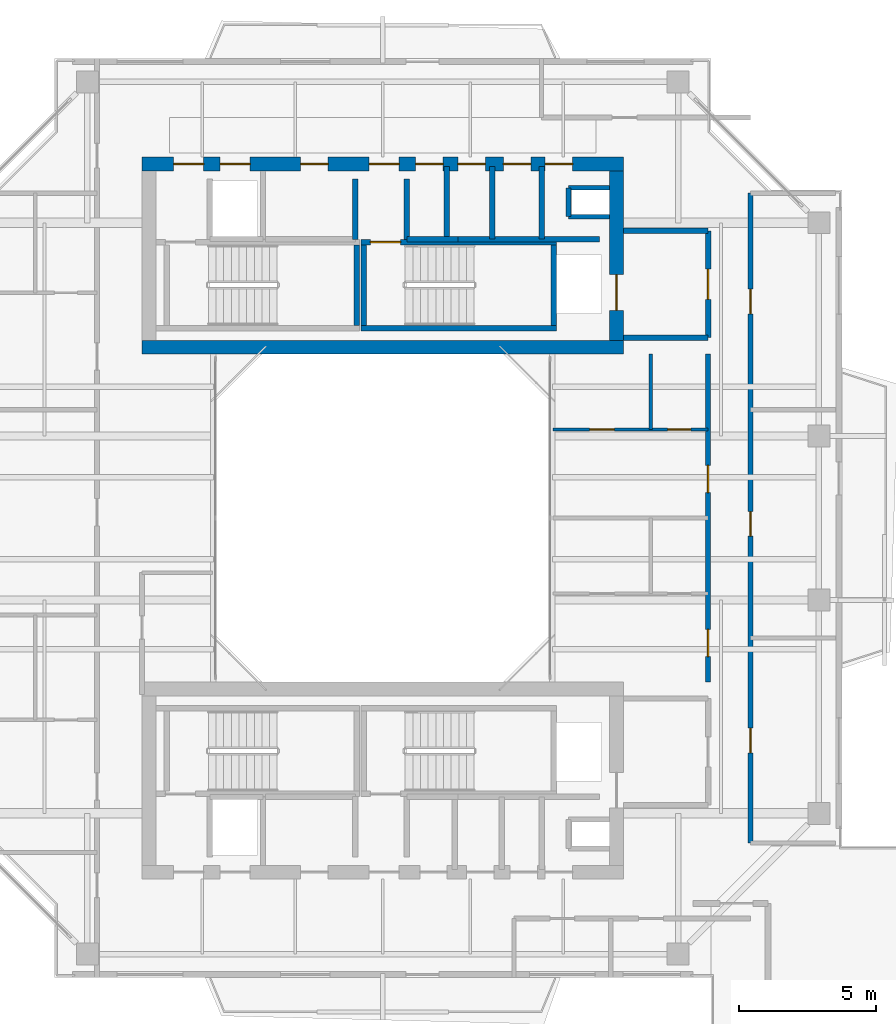
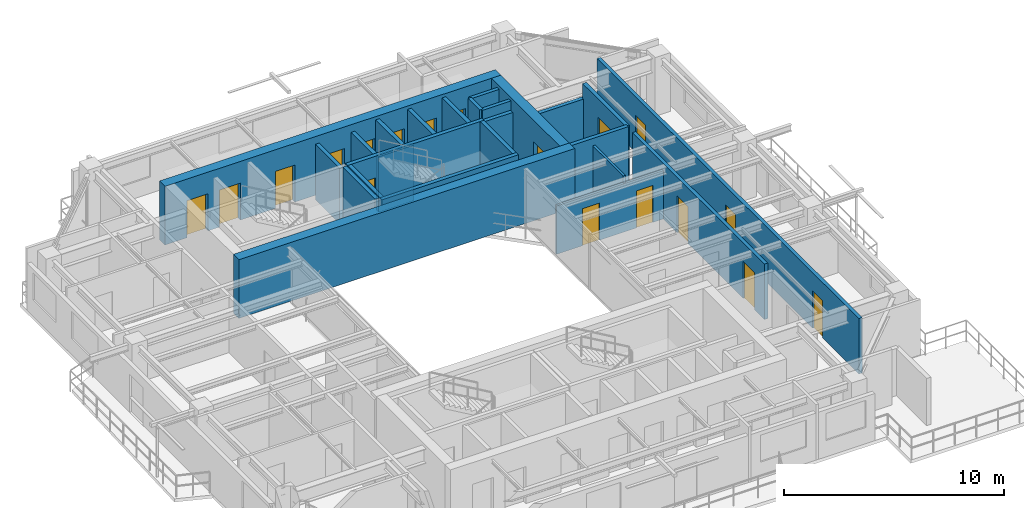
# One storey, part 12 of 16: 25 walls, 18 doors, 18 openings.
"""IFC4 building model written with IfcOpenShell, lengths in metres."""

from ifc_helpers import new_model, si_unit, direction, frame, frame_2d, origin, place, context, subcontext, project, spatial, rectangle, extrude, source, transform, mapped, material, layer, layer_set, type_object, element, fill, save


model = new_model("IFC4")

# Units and contexts
model_context = context("Model", 3, precision=1e-05, world=origin(), true_north=direction((0.0, 1.0)))
body_context = subcontext(model_context, "Body", "Model", "MODEL_VIEW")
ifc_project = project(units=[si_unit("LENGTHUNIT", "METRE"), si_unit("AREAUNIT", "SQUARE_METRE"), si_unit("VOLUMEUNIT", "CUBIC_METRE"), si_unit("PLANEANGLEUNIT", "RADIAN"), si_unit("MASSUNIT", "GRAM", prefix="KILO"), si_unit("THERMODYNAMICTEMPERATUREUNIT", "KELVIN"), si_unit("POWERUNIT", "WATT")], contexts=[model_context])

# Site, building, storey
site_placement = place(None, origin())
site = spatial("IfcSite", under=ifc_project, at=site_placement, CompositionType="ELEMENT")
building_placement = place(site_placement, origin())
building = spatial("IfcBuilding", under=site, at=building_placement, Name="Qiaomeng Ring Towers", CompositionType="ELEMENT")
storey_placement = place(building_placement, frame((0.0, 0.0, 203.5)))
storey = spatial("IfcBuildingStorey", under=building, at=storey_placement, Name="L59", CompositionType="ELEMENT", Elevation=203.5)

# Walls
ifc_material_1 = material(Name="Autoclaved aerated concrete block", Category="concrete")
ifc_layer_1 = layer(ifc_material_1, 0.199951171875, Name="Autoclaved aerated concrete block")
ifc_layer_set_1 = layer_set([ifc_layer_1], Name="Autoclaved aerated concrete block")
wall_type_1 = type_object("IfcWallType", Name="ARC-WL-PW1", PredefinedType="PARTITIONING", material=ifc_layer_set_1)
wall_1_placement = place(storey_placement, frame((27.800048828125, 29.60009765625, 0.0), z_axis=(0.0, 0.0, 1.0), x_axis=(1.0, 0.0, 0.0)))
element("IfcWall", 1, at=wall_1_placement, inside=storey, type_object=wall_type_1, Name="L59 Interior Wall PW1", PredefinedType="PARTITIONING", context=body_context, shape_type="SweptSolid", body=[
    extrude(rectangle(XDim=3.099853515625, YDim=0.199951171875, at=frame_2d((1.5498046875, 0.0))), origin(), (0.0, 0.0, 1.0), 3.070068359375),
])
wall_2_placement = place(storey_placement, frame((27.800048828125, 33.5, 0.0), z_axis=(0.0, 0.0, 1.0), x_axis=(1.0, 0.0, 0.0)))
element("IfcWall", 2, at=wall_2_placement, inside=storey, type_object=wall_type_1, Name="L59 Interior Wall PW1", PredefinedType="PARTITIONING", context=body_context, shape_type="SweptSolid", body=[
    extrude(rectangle(XDim=3.099853515625, YDim=0.199951171875, at=frame_2d((1.5498046875, 0.0))), origin(), (0.0, 0.0, 1.0), 2.264892578125),
])

# Wall, opening, door
wall_3_placement = place(storey_placement, frame((30.89990234375, 29.60009765625, 0.0), z_axis=(0.0, 0.0, 1.0), x_axis=(0.0, 1.0, 0.0)))
wall_3 = element("IfcWall", 3, at=wall_3_placement, inside=storey, type_object=wall_type_1, Name="L59 Interior Wall PW1", PredefinedType="PARTITIONING", context=body_context, shape_type="SweptSolid", body=[
    extrude(rectangle(XDim=3.89990234375, YDim=0.199951171875, at=frame_2d((1.949951171875, 0.0))), origin(), (0.0, 0.0, 1.0), 3.070068359375),
])
opening_1_placement = place(wall_3_placement, frame((1.39990234375, 0.0, 0.0)))
opening_1 = element("IfcOpeningElement", 4, at=opening_1_placement, cuts=wall_3, Name="Opening FD3", PredefinedType="OPENING", context=body_context, shape_type="SweptSolid", body=[
    extrude(rectangle(XDim=1.10009765625, YDim=2.050048828125, at=frame_2d((0.550048828125, 1.02490234375))), frame((0.0, 0.10986328125, 0.0), z_axis=(0.0, -1.0, 0.0), x_axis=(1.0, 0.0, 0.0)), (0.0, 0.0, 1.0), 0.219970703125),
])
ifc_material_2 = material(Name="Galvanised steel", Category="steel")
door_type_1 = type_object("IfcDoorType", Name="ARC-DR-FD3", OperationType="NOTDEFINED", PredefinedType="DOOR", material=ifc_material_2)
shared_shape_1 = source(origin(), body_context, "Body", "SweptSolid", [
    extrude(rectangle(XDim=1.10009765625, YDim=2.050048828125, at=frame_2d((0.550048828125, 1.02490234375))), frame((0.0, 0.02490234375, 0.0), z_axis=(0.0, -1.0, 0.0), x_axis=(1.0, 0.0, 0.0)), (0.0, 0.0, 1.0), 0.050048828125),
])
door_1_placement = place(opening_1_placement, origin())
door_1 = element("IfcDoor", 5, at=door_1_placement, inside=storey, type_object=door_type_1, Name="L59 North FF Lobby Door", OperationType="SINGLE_SWING_LEFT", OverallHeight=2.050048828125, OverallWidth=1.10009765625, PredefinedType="DOOR", context=body_context, shape_type="MappedRepresentation", body=[
    mapped(shared_shape_1, transform((0.0, 0.0, 0.0), x_axis=(1.0, 0.0, 0.0), y_axis=(0.0, 1.0, 0.0), z_axis=(0.0, 0.0, 1.0), scale=1.0)),
])
fill(opening_1, door_1)

# Walls
for number, where, z_axis, x_axis, name in (
    (6, (18.0, 33.18994140625, 0.0), (0.0, 0.0, 1.0), (0.0, 1.0, 0.0), "L59 Interior Wall PW1"),
    (7, (19.8798828125, 33.18994140625, 0.0), (0.0, 0.0, 1.0), (0.0, 1.0, 0.0), "L59 Interior Wall PW1"),
):
    element("IfcWall", number, at=place(storey_placement, frame(where, z_axis=z_axis, x_axis=x_axis)), inside=storey, type_object=wall_type_1, Name=name, PredefinedType="PARTITIONING", context=body_context, shape_type="SweptSolid", body=[
        extrude(rectangle(XDim=2.2099609375, YDim=0.199951171875, at=frame_2d((1.10498046875, 0.0))), origin(), (0.0, 0.0, 1.0), 3.070068359375),
    ])
wall_4_placement = place(storey_placement, frame((24.820068359375, 33.199951171875, 0.0), z_axis=(0.0, 0.0, 1.0), x_axis=(0.0, 1.0, 0.0)))
element("IfcWall", 8, at=wall_4_placement, inside=storey, type_object=wall_type_1, Name="L59 Interior Wall PW1", PredefinedType="PARTITIONING", context=body_context, shape_type="SweptSolid", body=[
    extrude(rectangle(XDim=2.650146484375, YDim=0.199951171875, at=frame_2d((1.3251953125, 0.0))), origin(), (0.0, 0.0, 1.0), 3.070068359375),
])
wall_5_placement = place(storey_placement, frame((19.8798828125, 33.199951171875, 0.0), z_axis=(0.0, 0.0, 1.0), x_axis=(1.0, 0.0, 0.0)))
element("IfcWall", 9, at=wall_5_placement, inside=storey, type_object=wall_type_1, Name="L59 Interior Wall PW1", PredefinedType="PARTITIONING", context=body_context, shape_type="SweptSolid", body=[
    extrude(rectangle(XDim=1.8701171875, YDim=0.199951171875, at=frame_2d((0.93505859375, 0.0))), origin(), (0.0, 0.0, 1.0), 3.070068359375),
])
for number, where, z_axis, x_axis, name in (
    (10, (21.340087890625, 33.199951171875, 0.0), (0.0, 0.0, 1.0), (0.0, 1.0, 0.0), "L59 Interior Wall PW1"),
    (11, (23.010009765625, 33.199951171875, 0.0), (0.0, 0.0, 1.0), (0.0, 1.0, 0.0), "L59 Interior Wall PW1"),
):
    element("IfcWall", number, at=place(storey_placement, frame(where, z_axis=z_axis, x_axis=x_axis)), inside=storey, type_object=wall_type_1, Name=name, PredefinedType="PARTITIONING", context=body_context, shape_type="SweptSolid", body=[
        extrude(rectangle(XDim=2.650146484375, YDim=0.199951171875, at=frame_2d((1.3251953125, 0.0))), origin(), (0.0, 0.0, 1.0), 3.070068359375),
    ])
wall_6_placement = place(storey_placement, frame((21.75, 33.199951171875, 0.0), z_axis=(0.0, 0.0, 1.0), x_axis=(1.0, 0.0, 0.0)))
element("IfcWall", 12, at=wall_6_placement, inside=storey, type_object=wall_type_1, Name="L59 Interior Wall PW1", PredefinedType="PARTITIONING", context=body_context, shape_type="SweptSolid", body=[
    extrude(rectangle(XDim=5.169921875, YDim=0.199951171875, at=frame_2d((2.5849609375, 0.0))), origin(), (0.0, 0.0, 1.0), 3.070068359375),
])

# Wall, openings, doors
ifc_layer_2 = layer(ifc_material_1, 0.179931640625, Name="Autoclaved aerated concrete block")
ifc_layer_set_2 = layer_set([ifc_layer_2], Name="Autoclaved aerated concrete block")
wall_type_2 = type_object("IfcWallType", Name="ARC-WL-PW2", PredefinedType="PARTITIONING", material=ifc_layer_set_2)
wall_7_placement = place(storey_placement, frame((30.89990234375, 17.0, 0.0), z_axis=(0.0, 0.0, 1.0), x_axis=(0.0, 1.0, 0.0)))
wall_7 = element("IfcWall", 13, at=wall_7_placement, inside=storey, type_object=wall_type_2, Name="L59 Interior Wall PW2", PredefinedType="PARTITIONING", context=body_context, shape_type="SweptSolid", body=[
    extrude(rectangle(XDim=12.0, YDim=0.179931640625, at=frame_2d((6.0, 0.0))), origin(), (0.0, 0.0, 1.0), 3.070068359375),
])
opening_2_placement = place(wall_7_placement, frame((0.929931640625, 0.0, 0.0)))
opening_2 = element("IfcOpeningElement", 14, at=opening_2_placement, cuts=wall_7, Name="Opening FD4", PredefinedType="OPENING", context=body_context, shape_type="SweptSolid", body=[
    extrude(rectangle(XDim=1.0, YDim=2.050048828125, at=frame_2d((0.5, 1.02490234375))), frame((0.0, 0.099853515625, 0.0), z_axis=(0.0, -1.0, 0.0), x_axis=(1.0, 0.0, 0.0)), (0.0, 0.0, 1.0), 0.199951171875),
])
opening_3_placement = place(wall_7_placement, frame((6.929931640625, 0.0, 0.0)))
opening_3 = element("IfcOpeningElement", 15, at=opening_3_placement, cuts=wall_7, Name="Opening FD4", PredefinedType="OPENING", context=body_context, shape_type="SweptSolid", body=[
    extrude(rectangle(XDim=1.0, YDim=2.050048828125, at=frame_2d((0.5, 1.02490234375))), frame((0.0, 0.099853515625, 0.0), z_axis=(0.0, -1.0, 0.0), x_axis=(1.0, 0.0, 0.0)), (0.0, 0.0, 1.0), 0.199951171875),
])
ifc_material_3 = material(Name="Engineered fire-rated oak timber", Category="wood")
door_type_2 = type_object("IfcDoorType", Name="ARC-DR-FD4", OperationType="NOTDEFINED", PredefinedType="DOOR", material=ifc_material_3)
shared_shape_2 = source(origin(), body_context, "Body", "SweptSolid", [
    extrude(rectangle(XDim=1.0, YDim=2.050048828125, at=frame_2d((0.5, 1.02490234375))), frame((0.0, 0.02490234375, 0.0), z_axis=(0.0, -1.0, 0.0), x_axis=(1.0, 0.0, 0.0)), (0.0, 0.0, 1.0), 0.050048828125),
])
door_2_placement = place(opening_2_placement, origin())
door_2 = element("IfcDoor", 16, at=door_2_placement, inside=storey, type_object=door_type_2, Name="L59 Door FD4", OperationType="SINGLE_SWING_RIGHT", OverallHeight=2.050048828125, OverallWidth=1.0, PredefinedType="DOOR", context=body_context, shape_type="MappedRepresentation", body=[
    mapped(shared_shape_2, transform((0.0, 0.0, 0.0), x_axis=(1.0, 0.0, 0.0), y_axis=(0.0, 1.0, 0.0), z_axis=(0.0, 0.0, 1.0), scale=1.0)),
])
fill(opening_2, door_2)
door_3_placement = place(opening_3_placement, origin())
door_3 = element("IfcDoor", 17, at=door_3_placement, inside=storey, type_object=door_type_2, Name="L59 Door FD4", OperationType="SINGLE_SWING_LEFT", OverallHeight=2.050048828125, OverallWidth=1.0, PredefinedType="DOOR", context=body_context, shape_type="MappedRepresentation", body=[
    mapped(shared_shape_2, transform((0.0, 0.0, 0.0), x_axis=(1.0, 0.0, 0.0), y_axis=(0.0, 1.0, 0.0), z_axis=(0.0, 0.0, 1.0), scale=1.0)),
])
fill(opening_3, door_3)

wall_8_placement = place(storey_placement, frame((32.449951171875, 11.1201171875, 0.0), z_axis=(0.0, 0.0, 1.0), x_axis=(0.0, 1.0, 0.0)))
wall_8 = element("IfcWall", 18, at=wall_8_placement, inside=storey, type_object=wall_type_2, Name="L59 Interior Wall PW2", PredefinedType="PARTITIONING", context=body_context, shape_type="SweptSolid", body=[
    extrude(rectangle(XDim=23.759765625, YDim=0.179931640625, at=frame_2d((11.8798828125, 0.0))), origin(), (0.0, 0.0, 1.0), 3.070068359375),
])
opening_4_placement = place(wall_8_placement, frame((3.294921875, 0.0, 0.0)))
opening_4 = element("IfcOpeningElement", 19, at=opening_4_placement, cuts=wall_8, Name="Opening ID1", PredefinedType="OPENING", context=body_context, shape_type="SweptSolid", body=[
    extrude(rectangle(XDim=0.89990234375, YDim=2.050048828125, at=frame_2d((0.449951171875, 1.02490234375))), frame((0.0, 0.099853515625, 0.0), z_axis=(0.0, -1.0, 0.0), x_axis=(1.0, 0.0, 0.0)), (0.0, 0.0, 1.0), 0.199951171875),
])
opening_5_placement = place(wall_8_placement, frame((11.215087890625, 0.0, 0.0)))
opening_5 = element("IfcOpeningElement", 20, at=opening_5_placement, cuts=wall_8, Name="Opening ID1", PredefinedType="OPENING", context=body_context, shape_type="SweptSolid", body=[
    extrude(rectangle(XDim=0.89990234375, YDim=2.050048828125, at=frame_2d((0.449951171875, 1.02490234375))), frame((0.0, 0.099853515625, 0.0), z_axis=(0.0, -1.0, 0.0), x_axis=(1.0, 0.0, 0.0)), (0.0, 0.0, 1.0), 0.199951171875),
])
opening_6_placement = place(wall_8_placement, frame((19.35009765625, 0.0, 0.0)))
opening_6 = element("IfcOpeningElement", 21, at=opening_6_placement, cuts=wall_8, Name="Opening ID1", PredefinedType="OPENING", context=body_context, shape_type="SweptSolid", body=[
    extrude(rectangle(XDim=0.89990234375, YDim=2.050048828125, at=frame_2d((0.449951171875, 1.02490234375))), frame((0.0, 0.099853515625, 0.0), z_axis=(0.0, -1.0, 0.0), x_axis=(1.0, 0.0, 0.0)), (0.0, 0.0, 1.0), 0.199951171875),
])
ifc_material_4 = material(Name="Engineered oak timber", Category="wood")
door_type_3 = type_object("IfcDoorType", Name="ARC-DR-ID1", OperationType="NOTDEFINED", PredefinedType="DOOR", material=ifc_material_4)
shared_shape_3 = source(origin(), body_context, "Body", "SweptSolid", [
    extrude(rectangle(XDim=0.89990234375, YDim=2.050048828125, at=frame_2d((0.449951171875, 1.02490234375))), frame((0.0, 0.02490234375, 0.0), z_axis=(0.0, -1.0, 0.0), x_axis=(1.0, 0.0, 0.0)), (0.0, 0.0, 1.0), 0.050048828125),
])
door_4_placement = place(opening_4_placement, origin())
door_4 = element("IfcDoor", 22, at=door_4_placement, inside=storey, type_object=door_type_3, Name="L59 Door ID1", OperationType="SINGLE_SWING_RIGHT", OverallHeight=2.050048828125, OverallWidth=0.89990234375, PredefinedType="DOOR", context=body_context, shape_type="MappedRepresentation", body=[
    mapped(shared_shape_3, transform((0.0, 0.0, 0.0), x_axis=(1.0, 0.0, 0.0), y_axis=(0.0, 1.0, 0.0), z_axis=(0.0, 0.0, 1.0), scale=1.0)),
])
fill(opening_4, door_4)
door_5_placement = place(opening_5_placement, origin())
door_5 = element("IfcDoor", 23, at=door_5_placement, inside=storey, type_object=door_type_3, Name="L59 Door ID1", OperationType="SINGLE_SWING_LEFT", OverallHeight=2.050048828125, OverallWidth=0.89990234375, PredefinedType="DOOR", context=body_context, shape_type="MappedRepresentation", body=[
    mapped(shared_shape_3, transform((0.0, 0.0, 0.0), x_axis=(1.0, 0.0, 0.0), y_axis=(0.0, 1.0, 0.0), z_axis=(0.0, 0.0, 1.0), scale=1.0)),
])
fill(opening_5, door_5)
door_6_placement = place(opening_6_placement, origin())
door_6 = element("IfcDoor", 24, at=door_6_placement, inside=storey, type_object=door_type_3, Name="L59 Door ID1", OperationType="SINGLE_SWING_RIGHT", OverallHeight=2.050048828125, OverallWidth=0.89990234375, PredefinedType="DOOR", context=body_context, shape_type="MappedRepresentation", body=[
    mapped(shared_shape_3, transform((0.0, 0.0, 0.0), x_axis=(1.0, 0.0, 0.0), y_axis=(0.0, 1.0, 0.0), z_axis=(0.0, 0.0, 1.0), scale=1.0)),
])
fill(opening_6, door_6)

ifc_material_5 = material(Name="Moisture-resistant gypsum steel-stud partition", Category="steel")
ifc_layer_3 = layer(ifc_material_5, 0.1201171875, Name="Moisture-resistant gypsum steel-stud partition")
ifc_layer_set_3 = layer_set([ifc_layer_3], Name="Moisture-resistant gypsum steel-stud partition")
wall_type_3 = type_object("IfcWallType", Name="ARC-WL-PW4", PredefinedType="PLUMBINGWALL", material=ifc_layer_set_3)
wall_9_placement = place(storey_placement, frame((25.219970703125, 26.239990234375, 0.0), z_axis=(0.0, 0.0, 1.0), x_axis=(1.0, 0.0, 0.0)))
wall_9 = element("IfcWall", 25, at=wall_9_placement, inside=storey, type_object=wall_type_3, Name="L59 Interior Wall PW4", PredefinedType="PLUMBINGWALL", context=body_context, shape_type="SweptSolid", body=[
    extrude(rectangle(XDim=5.679931640625, YDim=0.1201171875, at=frame_2d((2.83984375, 0.0))), origin(), (0.0, 0.0, 1.0), 2.675048828125),
])
opening_7_placement = place(wall_9_placement, frame((1.35009765625, 0.0, 0.0)))
opening_7 = element("IfcOpeningElement", 26, at=opening_7_placement, cuts=wall_9, Name="Opening ID1", PredefinedType="OPENING", context=body_context, shape_type="SweptSolid", body=[
    extrude(rectangle(XDim=0.89990234375, YDim=2.050048828125, at=frame_2d((0.449951171875, 1.02490234375))), frame((0.0, 0.070068359375, 0.0), z_axis=(0.0, -1.0, 0.0), x_axis=(1.0, 0.0, 0.0)), (0.0, 0.0, 1.0), 0.14013671875),
])
opening_8_placement = place(wall_9_placement, frame((4.195068359375, 0.0, 0.0)))
opening_8 = element("IfcOpeningElement", 27, at=opening_8_placement, cuts=wall_9, Name="Opening ID2", PredefinedType="OPENING", context=body_context, shape_type="SweptSolid", body=[
    extrude(rectangle(XDim=0.85009765625, YDim=2.050048828125, at=frame_2d((0.425048828125, 1.02490234375))), frame((0.0, 0.070068359375, 0.0), z_axis=(0.0, -1.0, 0.0), x_axis=(1.0, 0.0, 0.0)), (0.0, 0.0, 1.0), 0.14013671875),
])
ifc_material_6 = material(Name="Moisture-resistant engineered timber", Category="wood")
door_type_4 = type_object("IfcDoorType", Name="ARC-DR-ID2", OperationType="NOTDEFINED", PredefinedType="DOOR", material=ifc_material_6)
shared_shape_4 = source(origin(), body_context, "Body", "SweptSolid", [
    extrude(rectangle(XDim=0.85009765625, YDim=2.050048828125, at=frame_2d((0.425048828125, 1.02490234375))), frame((0.0, 0.02490234375, 0.0), z_axis=(0.0, -1.0, 0.0), x_axis=(1.0, 0.0, 0.0)), (0.0, 0.0, 1.0), 0.050048828125),
])
door_7_placement = place(opening_8_placement, origin())
door_7 = element("IfcDoor", 28, at=door_7_placement, inside=storey, type_object=door_type_4, Name="L59 Door ID2", OperationType="SINGLE_SWING_RIGHT", OverallHeight=2.050048828125, OverallWidth=0.85009765625, PredefinedType="DOOR", context=body_context, shape_type="MappedRepresentation", body=[
    mapped(shared_shape_4, transform((0.0, 0.0, 0.0), x_axis=(1.0, 0.0, 0.0), y_axis=(0.0, 1.0, 0.0), z_axis=(0.0, 0.0, 1.0), scale=1.0)),
])
fill(opening_8, door_7)
door_8_placement = place(opening_7_placement, origin())
door_8 = element("IfcDoor", 29, at=door_8_placement, inside=storey, type_object=door_type_3, Name="L59 Door ID1", OperationType="SINGLE_SWING_LEFT", OverallHeight=2.050048828125, OverallWidth=0.89990234375, PredefinedType="DOOR", context=body_context, shape_type="MappedRepresentation", body=[
    mapped(shared_shape_3, transform((0.0, 0.0, 0.0), x_axis=(1.0, 0.0, 0.0), y_axis=(0.0, 1.0, 0.0), z_axis=(0.0, 0.0, 1.0), scale=1.0)),
])
fill(opening_7, door_8)

# Walls
wall_10_placement = place(storey_placement, frame((28.800048828125, 26.239990234375, 0.0), z_axis=(0.0, 0.0, 1.0), x_axis=(0.0, 1.0, 0.0)))
element("IfcWall", 30, at=wall_10_placement, inside=storey, type_object=wall_type_3, Name="L59 Interior Wall PW4", PredefinedType="PLUMBINGWALL", context=body_context, shape_type="SweptSolid", body=[
    extrude(rectangle(XDim=2.760009765625, YDim=0.1201171875, at=frame_2d((1.3798828125, 0.0))), origin(), (0.0, 0.0, 1.0), 3.070068359375),
])
ifc_material_7 = material(Name="Concrete C40", Category="concrete")
ifc_layer_4 = layer(ifc_material_7, 0.199951171875, Name="Concrete C40")
ifc_layer_set_4 = layer_set([ifc_layer_4], Name="Concrete C40")
wall_type_4 = type_object("IfcWallType", Name="STR-WL-STSHAFT", PredefinedType="SHEAR", material=ifc_layer_set_4)
wall_11_placement = place(storey_placement, frame((25.800048828125, 34.02001953125, 0.0), z_axis=(0.0, 0.0, 1.0), x_axis=(0.0, 1.0, 0.0)))
element("IfcWall", 31, at=wall_11_placement, inside=storey, type_object=wall_type_4, Name="L59 Riser RSR1 West Shaft Wall N", PredefinedType="SHEAR", context=body_context, shape_type="SweptSolid", body=[
    extrude(rectangle(XDim=1.06005859375, YDim=0.179931640625, at=frame_2d((0.530029296875, 0.0))), origin(), (0.0, 0.0, 1.0), 3.070068359375),
])
for number, where, z_axis, x_axis, name in (
    (32, (25.800048828125, 35.080078125, 0.0), (0.0, 0.0, 1.0), (1.0, 0.0, 0.0), "L59 Riser RSR1 North Shaft Wall N"),
    (33, (25.800048828125, 34.02001953125, 0.0), (0.0, 0.0, 1.0), (1.0, 0.0, 0.0), "L59 Riser RSR1 South Shaft Wall N"),
):
    element("IfcWall", number, at=place(storey_placement, frame(where, z_axis=z_axis, x_axis=x_axis)), inside=storey, type_object=wall_type_4, Name=name, PredefinedType="SHEAR", context=body_context, shape_type="SweptSolid", body=[
        extrude(rectangle(XDim=1.5, YDim=0.179931640625, at=frame_2d((0.75, 0.0))), origin(), (0.0, 0.0, 1.0), 3.070068359375),
    ])
wall_12_placement = place(storey_placement, frame((18.050048828125, 30.050048828125, 0.0), z_axis=(0.0, 0.0, 1.0), x_axis=(0.0, 1.0, 0.0)))
element("IfcWall", 34, at=wall_12_placement, inside=storey, type_object=wall_type_4, Name="L59 Stair ST1 East Shaft Shear Wall", PredefinedType="SHEAR", context=body_context, shape_type="SweptSolid", body=[
    extrude(rectangle(XDim=2.93994140625, YDim=0.199951171875, at=frame_2d((1.469970703125, 0.0))), origin(), (0.0, 0.0, 1.0), 3.25),
])
wall_13_placement = place(storey_placement, frame((18.199951171875, 29.949951171875, 0.0), z_axis=(0.0, 0.0, 1.0), x_axis=(1.0, 0.0, 0.0)))
element("IfcWall", 35, at=wall_13_placement, inside=storey, type_object=wall_type_4, Name="L59 Stair ST2 South Shaft Shear Wall", PredefinedType="SHEAR", context=body_context, shape_type="SweptSolid", body=[
    extrude(rectangle(XDim=7.150146484375, YDim=0.199951171875, at=frame_2d((3.5751953125, 0.0))), origin(), (0.0, 0.0, 1.0), 3.25),
])

# Wall, opening, door
wall_14_placement = place(storey_placement, frame((18.199951171875, 33.090087890625, 0.0), z_axis=(0.0, 0.0, 1.0), x_axis=(1.0, 0.0, 0.0)))
wall_14 = element("IfcWall", 36, at=wall_14_placement, inside=storey, type_object=wall_type_4, Name="L59 Stair ST2 North Shaft Shear Wall", PredefinedType="SHEAR", context=body_context, shape_type="SweptSolid", body=[
    extrude(rectangle(XDim=7.150146484375, YDim=0.199951171875, at=frame_2d((3.5751953125, 0.0))), origin(), (0.0, 0.0, 1.0), 3.25),
])
opening_9_placement = place(wall_14_placement, frame((0.35009765625, 0.0, 0.0)))
opening_9 = element("IfcOpeningElement", 37, at=opening_9_placement, cuts=wall_14, Name="Opening FD3", PredefinedType="OPENING", context=body_context, shape_type="SweptSolid", body=[
    extrude(rectangle(XDim=1.10009765625, YDim=2.050048828125, at=frame_2d((0.550048828125, 1.02490234375))), frame((0.0, 0.10986328125, 0.0), z_axis=(0.0, -1.0, 0.0), x_axis=(1.0, 0.0, 0.0)), (0.0, 0.0, 1.0), 0.219970703125),
])
door_9_placement = place(opening_9_placement, origin())
door_9 = element("IfcDoor", 38, at=door_9_placement, inside=storey, type_object=door_type_1, Name="L59 Stair ST2 Exit Door", OperationType="SINGLE_SWING_RIGHT", OverallHeight=2.050048828125, OverallWidth=1.10009765625, PredefinedType="DOOR", context=body_context, shape_type="MappedRepresentation", body=[
    mapped(shared_shape_1, transform((0.0, 0.0, 0.0), x_axis=(1.0, 0.0, 0.0), y_axis=(0.0, 1.0, 0.0), z_axis=(0.0, 0.0, 1.0), scale=1.0)),
])
fill(opening_9, door_9)

# Walls
for number, where, z_axis, x_axis, name in (
    (39, (18.300048828125, 30.050048828125, 0.0), (0.0, 0.0, 1.0), (0.0, 1.0, 0.0), "L59 Stair ST2 West Shaft Shear Wall"),
    (40, (25.25, 30.050048828125, 0.0), (0.0, 0.0, 1.0), (0.0, 1.0, 0.0), "L59 Stair ST2 East Shaft Shear Wall"),
):
    element("IfcWall", number, at=place(storey_placement, frame(where, z_axis=z_axis, x_axis=x_axis)), inside=storey, type_object=wall_type_4, Name=name, PredefinedType="SHEAR", context=body_context, shape_type="SweptSolid", body=[
        extrude(rectangle(XDim=2.93994140625, YDim=0.199951171875, at=frame_2d((1.469970703125, 0.0))), origin(), (0.0, 0.0, 1.0), 3.25),
    ])
ifc_layer_5 = layer(ifc_material_7, 0.5, Name="Concrete C40")
ifc_layer_set_5 = layer_set([ifc_layer_5], Name="Concrete C40")
wall_type_5 = type_object("IfcWallType", Name="STR-WL-SW3", PredefinedType="SHEAR", material=ifc_layer_set_5)
wall_15_placement = place(storey_placement, frame((10.199951171875, 29.25, 0.0), z_axis=(0.0, 0.0, 1.0), x_axis=(1.0, 0.0, 0.0)))
element("IfcWall", 41, at=wall_15_placement, inside=storey, type_object=wall_type_5, Name="L59 T1NC south core shear wall", PredefinedType="SHEAR", context=body_context, shape_type="SweptSolid", body=[
    extrude(rectangle(XDim=17.60009765625, YDim=0.5, at=frame_2d((8.800048828125, 0.0))), origin(), (0.0, 0.0, 1.0), 3.25),
])

# Wall, openings, doors
wall_16_placement = place(storey_placement, frame((10.199951171875, 35.949951171875, 0.0), z_axis=(0.0, 0.0, 1.0), x_axis=(1.0, 0.0, 0.0)))
wall_16 = element("IfcWall", 42, at=wall_16_placement, inside=storey, type_object=wall_type_5, Name="L59 T1NC north core shear wall", PredefinedType="SHEAR", context=body_context, shape_type="SweptSolid", body=[
    extrude(rectangle(XDim=17.60009765625, YDim=0.5, at=frame_2d((8.800048828125, 0.0))), origin(), (0.0, 0.0, 1.0), 3.25),
])
opening_10_placement = place(wall_16_placement, frame((1.14990234375, 0.0, 0.0)))
opening_10 = element("IfcOpeningElement", 43, at=opening_10_placement, cuts=wall_16, Name="Opening FD3", PredefinedType="OPENING", context=body_context, shape_type="SweptSolid", body=[
    extrude(rectangle(XDim=1.10009765625, YDim=2.050048828125, at=frame_2d((0.550048828125, 1.02490234375))), frame((0.0, 0.260009765625, 0.0), z_axis=(0.0, -1.0, 0.0), x_axis=(1.0, 0.0, 0.0)), (0.0, 0.0, 1.0), 0.52001953125),
])
opening_11_placement = place(wall_16_placement, frame((8.300048828125, 0.0, 0.0)))
opening_11 = element("IfcOpeningElement", 44, at=opening_11_placement, cuts=wall_16, Name="Opening FD3", PredefinedType="OPENING", context=body_context, shape_type="SweptSolid", body=[
    extrude(rectangle(XDim=1.10009765625, YDim=2.050048828125, at=frame_2d((0.550048828125, 1.02490234375))), frame((0.0, 0.260009765625, 0.0), z_axis=(0.0, -1.0, 0.0), x_axis=(1.0, 0.0, 0.0)), (0.0, 0.0, 1.0), 0.52001953125),
])
opening_12_placement = place(wall_16_placement, frame((2.85009765625, 0.0, 0.0)))
opening_12 = element("IfcOpeningElement", 45, at=opening_12_placement, cuts=wall_16, Name="Opening LD1", PredefinedType="OPENING", context=body_context, shape_type="SweptSolid", body=[
    extrude(rectangle(XDim=1.10009765625, YDim=2.050048828125, at=frame_2d((0.550048828125, 1.02490234375))), frame((0.0, 0.260009765625, 0.0), z_axis=(0.0, -1.0, 0.0), x_axis=(1.0, 0.0, 0.0)), (0.0, 0.0, 1.0), 0.52001953125),
])
opening_13_placement = place(wall_16_placement, frame((5.800048828125, 0.0, 0.0)))
opening_13 = element("IfcOpeningElement", 46, at=opening_13_placement, cuts=wall_16, Name="Opening FD1", PredefinedType="OPENING", context=body_context, shape_type="SweptSolid", body=[
    extrude(rectangle(XDim=1.0, YDim=2.050048828125, at=frame_2d((0.5, 1.02490234375))), frame((0.0, 0.260009765625, 0.0), z_axis=(0.0, -1.0, 0.0), x_axis=(1.0, 0.0, 0.0)), (0.0, 0.0, 1.0), 0.52001953125),
])
opening_14_placement = place(wall_16_placement, frame((14.739990234375, 0.0, 0.0)))
opening_14 = element("IfcOpeningElement", 47, at=opening_14_placement, cuts=wall_16, Name="Opening FD1", PredefinedType="OPENING", context=body_context, shape_type="SweptSolid", body=[
    extrude(rectangle(XDim=1.0, YDim=2.050048828125, at=frame_2d((0.5, 1.02490234375))), frame((0.0, 0.260009765625, 0.0), z_axis=(0.0, -1.0, 0.0), x_axis=(1.0, 0.0, 0.0)), (0.0, 0.0, 1.0), 0.52001953125),
])
opening_15_placement = place(wall_16_placement, frame((10.0048828125, 0.0, 0.0)))
opening_15 = element("IfcOpeningElement", 48, at=opening_15_placement, cuts=wall_16, Name="Opening FD1", PredefinedType="OPENING", context=body_context, shape_type="SweptSolid", body=[
    extrude(rectangle(XDim=1.0, YDim=2.050048828125, at=frame_2d((0.5, 1.02490234375))), frame((0.0, 0.260009765625, 0.0), z_axis=(0.0, -1.0, 0.0), x_axis=(1.0, 0.0, 0.0)), (0.0, 0.0, 1.0), 0.52001953125),
])
opening_16_placement = place(wall_16_placement, frame((11.550048828125, 0.0, 0.0)))
opening_16 = element("IfcOpeningElement", 49, at=opening_16_placement, cuts=wall_16, Name="Opening FD1", PredefinedType="OPENING", context=body_context, shape_type="SweptSolid", body=[
    extrude(rectangle(XDim=1.0, YDim=2.050048828125, at=frame_2d((0.5, 1.02490234375))), frame((0.0, 0.260009765625, 0.0), z_axis=(0.0, -1.0, 0.0), x_axis=(1.0, 0.0, 0.0)), (0.0, 0.0, 1.0), 0.52001953125),
])
opening_17_placement = place(wall_16_placement, frame((13.215087890625, 0.0, 0.0)))
opening_17 = element("IfcOpeningElement", 50, at=opening_17_placement, cuts=wall_16, Name="Opening FD1", PredefinedType="OPENING", context=body_context, shape_type="SweptSolid", body=[
    extrude(rectangle(XDim=1.0, YDim=2.050048828125, at=frame_2d((0.5, 1.02490234375))), frame((0.0, 0.260009765625, 0.0), z_axis=(0.0, -1.0, 0.0), x_axis=(1.0, 0.0, 0.0)), (0.0, 0.0, 1.0), 0.52001953125),
])
door_10_placement = place(opening_10_placement, origin())
door_10 = element("IfcDoor", 51, at=door_10_placement, inside=storey, type_object=door_type_1, Name="L59 Stair ST1 Lobby Door", OperationType="SINGLE_SWING_LEFT", OverallHeight=2.050048828125, OverallWidth=1.10009765625, PredefinedType="DOOR", context=body_context, shape_type="MappedRepresentation", body=[
    mapped(shared_shape_1, transform((0.0, 0.0, 0.0), x_axis=(1.0, 0.0, 0.0), y_axis=(0.0, 1.0, 0.0), z_axis=(0.0, 0.0, 1.0), scale=1.0)),
])
fill(opening_10, door_10)
door_11_placement = place(opening_11_placement, origin())
door_11 = element("IfcDoor", 52, at=door_11_placement, inside=storey, type_object=door_type_1, Name="L59 Stair ST2 Lobby Door", OperationType="SINGLE_SWING_LEFT", OverallHeight=2.050048828125, OverallWidth=1.10009765625, PredefinedType="DOOR", context=body_context, shape_type="MappedRepresentation", body=[
    mapped(shared_shape_1, transform((0.0, 0.0, 0.0), x_axis=(1.0, 0.0, 0.0), y_axis=(0.0, 1.0, 0.0), z_axis=(0.0, 0.0, 1.0), scale=1.0)),
])
fill(opening_11, door_11)
ifc_material_8 = material(Name="Stainless steel 316", Category="steel")
door_type_5 = type_object("IfcDoorType", Name="ARC-DR-LD1", OperationType="NOTDEFINED", PredefinedType="DOOR", material=ifc_material_8)
door_12_placement = place(opening_12_placement, origin())
door_12 = element("IfcDoor", 53, at=door_12_placement, inside=storey, type_object=door_type_5, Name="L59 High-Zone Lift LP5 Landing Door", OperationType="SLIDING_TO_LEFT", OverallHeight=2.050048828125, OverallWidth=1.10009765625, PredefinedType="DOOR", context=body_context, shape_type="MappedRepresentation", body=[
    mapped(shared_shape_1, transform((0.0, 0.0, 0.0), x_axis=(1.0, 0.0, 0.0), y_axis=(0.0, 1.0, 0.0), z_axis=(0.0, 0.0, 1.0), scale=1.0)),
])
fill(opening_12, door_12)
door_type_6 = type_object("IfcDoorType", Name="ARC-DR-FD1", OperationType="NOTDEFINED", PredefinedType="DOOR", material=ifc_material_2)
door_13_placement = place(opening_13_placement, origin())
door_13 = element("IfcDoor", 54, at=door_13_placement, inside=storey, type_object=door_type_6, Name="L59 High-Zone Facilities Office Door", OperationType="SINGLE_SWING_LEFT", OverallHeight=2.050048828125, OverallWidth=1.0, PredefinedType="DOOR", context=body_context, shape_type="MappedRepresentation", body=[
    mapped(shared_shape_2, transform((0.0, 0.0, 0.0), x_axis=(1.0, 0.0, 0.0), y_axis=(0.0, 1.0, 0.0), z_axis=(0.0, 0.0, 1.0), scale=1.0)),
])
fill(opening_13, door_13)
door_14_placement = place(opening_14_placement, origin())
door_14 = element("IfcDoor", 55, at=door_14_placement, inside=storey, type_object=door_type_6, Name="L59 North Electrical Riser Door", OperationType="SINGLE_SWING_LEFT", OverallHeight=2.050048828125, OverallWidth=1.0, PredefinedType="DOOR", context=body_context, shape_type="MappedRepresentation", body=[
    mapped(shared_shape_2, transform((0.0, 0.0, 0.0), x_axis=(1.0, 0.0, 0.0), y_axis=(0.0, 1.0, 0.0), z_axis=(0.0, 0.0, 1.0), scale=1.0)),
])
fill(opening_14, door_14)
door_15_placement = place(opening_15_placement, origin())
door_15 = element("IfcDoor", 56, at=door_15_placement, inside=storey, type_object=door_type_6, Name="L59 North Cleaners Cupboard Door", OperationType="SINGLE_SWING_LEFT", OverallHeight=2.050048828125, OverallWidth=1.0, PredefinedType="DOOR", context=body_context, shape_type="MappedRepresentation", body=[
    mapped(shared_shape_2, transform((0.0, 0.0, 0.0), x_axis=(1.0, 0.0, 0.0), y_axis=(0.0, 1.0, 0.0), z_axis=(0.0, 0.0, 1.0), scale=1.0)),
])
fill(opening_15, door_15)
door_16_placement = place(opening_16_placement, origin())
door_16 = element("IfcDoor", 57, at=door_16_placement, inside=storey, type_object=door_type_6, Name="L59 North Staff Tea Pantry Door", OperationType="SINGLE_SWING_RIGHT", OverallHeight=2.050048828125, OverallWidth=1.0, PredefinedType="DOOR", context=body_context, shape_type="MappedRepresentation", body=[
    mapped(shared_shape_2, transform((0.0, 0.0, 0.0), x_axis=(1.0, 0.0, 0.0), y_axis=(0.0, 1.0, 0.0), z_axis=(0.0, 0.0, 1.0), scale=1.0)),
])
fill(opening_16, door_16)
door_17_placement = place(opening_17_placement, origin())
door_17 = element("IfcDoor", 58, at=door_17_placement, inside=storey, type_object=door_type_6, Name="L59 North Records Study Door", OperationType="SINGLE_SWING_LEFT", OverallHeight=2.050048828125, OverallWidth=1.0, PredefinedType="DOOR", context=body_context, shape_type="MappedRepresentation", body=[
    mapped(shared_shape_2, transform((0.0, 0.0, 0.0), x_axis=(1.0, 0.0, 0.0), y_axis=(0.0, 1.0, 0.0), z_axis=(0.0, 0.0, 1.0), scale=1.0)),
])
fill(opening_17, door_17)

# Wall, opening, door
wall_17_placement = place(storey_placement, frame((27.550048828125, 29.5, 0.0), z_axis=(0.0, 0.0, 1.0), x_axis=(0.0, 1.0, 0.0)))
wall_17 = element("IfcWall", 59, at=wall_17_placement, inside=storey, type_object=wall_type_5, Name="L59 T1NC east core shear wall", PredefinedType="SHEAR", context=body_context, shape_type="SweptSolid", body=[
    extrude(rectangle(XDim=6.199951171875, YDim=0.5, at=frame_2d((3.10009765625, 0.0))), origin(), (0.0, 0.0, 1.0), 3.25),
])
opening_18_placement = place(wall_17_placement, frame((1.10009765625, 0.0, 0.0)))
opening_18 = element("IfcOpeningElement", 60, at=opening_18_placement, cuts=wall_17, Name="Opening LD2", PredefinedType="OPENING", context=body_context, shape_type="SweptSolid", body=[
    extrude(rectangle(XDim=1.300048828125, YDim=2.050048828125, at=frame_2d((0.64990234375, 1.02490234375))), frame((0.0, 0.260009765625, 0.0), z_axis=(0.0, -1.0, 0.0), x_axis=(1.0, 0.0, 0.0)), (0.0, 0.0, 1.0), 0.52001953125),
])
door_type_7 = type_object("IfcDoorType", Name="ARC-DR-LD2", OperationType="NOTDEFINED", PredefinedType="DOOR", material=ifc_material_8)
shared_shape_5 = source(origin(), body_context, "Body", "SweptSolid", [
    extrude(rectangle(XDim=1.300048828125, YDim=2.050048828125, at=frame_2d((0.64990234375, 1.02490234375))), frame((0.0, 0.02490234375, 0.0), z_axis=(0.0, -1.0, 0.0), x_axis=(1.0, 0.0, 0.0)), (0.0, 0.0, 1.0), 0.050048828125),
])
door_18_placement = place(opening_18_placement, origin())
door_18 = element("IfcDoor", 61, at=door_18_placement, inside=storey, type_object=door_type_7, Name="L59 Firefighting Lift FL1 Landing Door", OperationType="SLIDING_TO_LEFT", OverallHeight=2.050048828125, OverallWidth=1.300048828125, PredefinedType="DOOR", context=body_context, shape_type="MappedRepresentation", body=[
    mapped(shared_shape_5, transform((0.0, 0.0, 0.0), x_axis=(1.0, 0.0, 0.0), y_axis=(0.0, 1.0, 0.0), z_axis=(0.0, 0.0, 1.0), scale=1.0)),
])
fill(opening_18, door_18)

save(model, "model.ifc")
